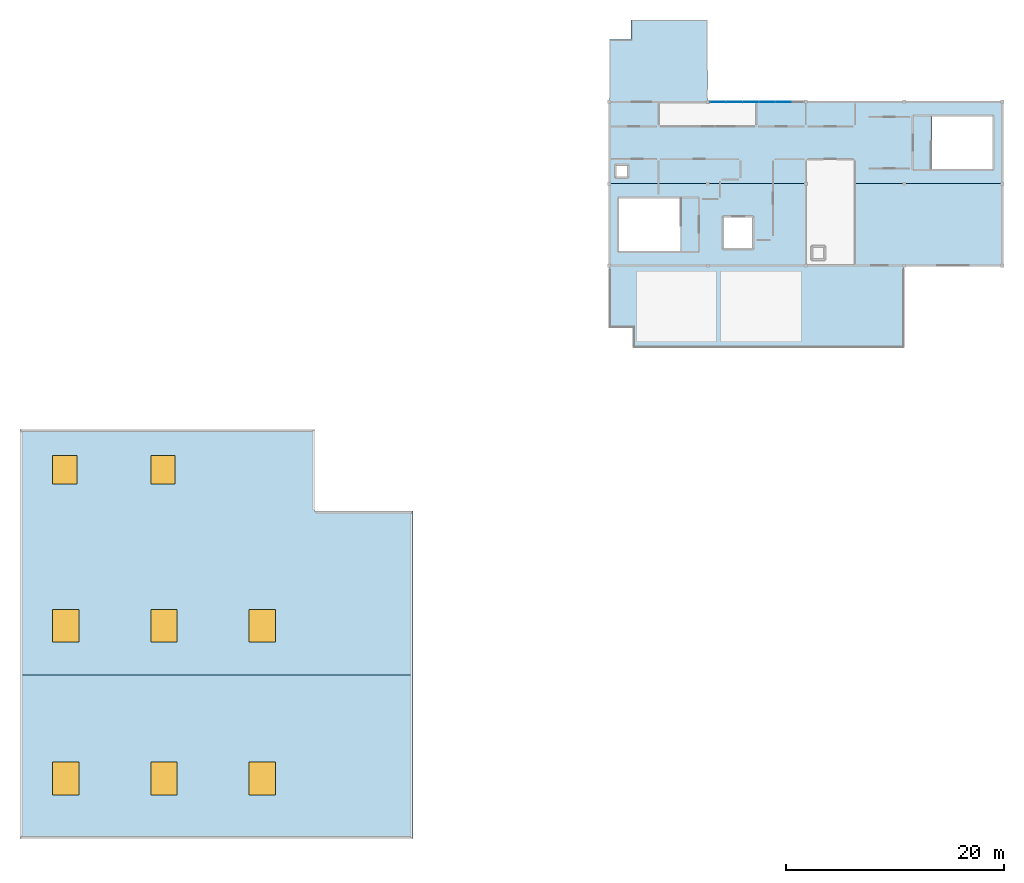
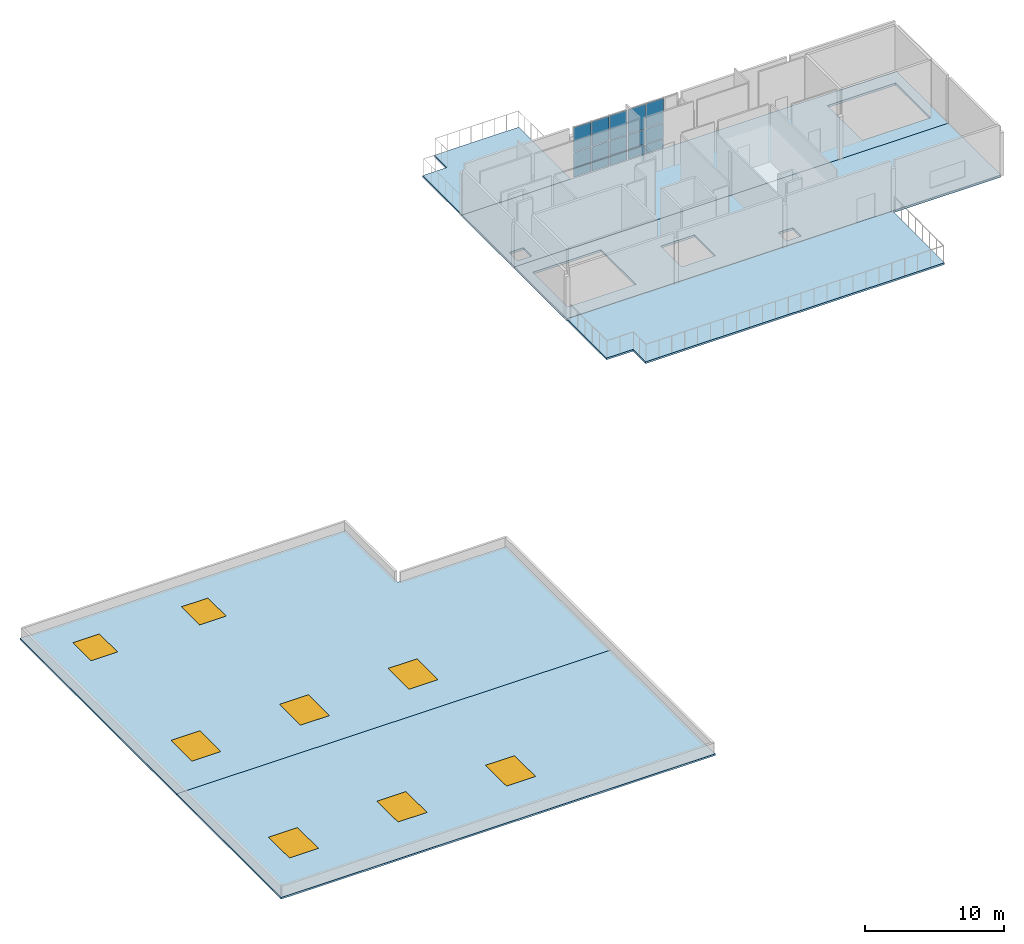
# One storey, part 3 of 8: 15 plates, 8 windows, 6 slabs, 8 openings, 1 element without a shape of its own.
"""IFC4 building model written with IfcOpenShell, lengths in metres."""

from ifc_helpers import new_model, si_unit, direction, frame, origin, origin_2d, place, context, subcontext, project, spatial, polyline, rectangle, outline, extrude, material, layer, layer_set, type_object, element, fill, aggregate, save


model = new_model("IFC4")

# Units and contexts
model_context = context("Model", 3, precision=1e-05, world=origin(), true_north=direction((0.0, 1.0)))
body_context = subcontext(model_context, "Body", "Model", "MODEL_VIEW")
ifc_project = project(units=[si_unit("LENGTHUNIT", "METRE"), si_unit("AREAUNIT", "SQUARE_METRE"), si_unit("VOLUMEUNIT", "CUBIC_METRE"), si_unit("PLANEANGLEUNIT", "RADIAN"), si_unit("MASSUNIT", "GRAM", prefix="KILO")], contexts=[model_context])

# Site, building, storey
site_placement = place(None, origin())
site = spatial("IfcSite", under=ifc_project, at=site_placement, CompositionType="ELEMENT")
building_placement = place(site_placement, origin())
building = spatial("IfcBuilding", under=site, at=building_placement, Name="Marnridge Secondary College", CompositionType="ELEMENT")
storey_placement = place(building_placement, frame((0.0, 0.0, 19.89990234375)))
storey = spatial("IfcBuildingStorey", under=building, at=storey_placement, Name="L05", CompositionType="ELEMENT", Elevation=19.89990234375)

# Curtain wall, plates
ifc_material_1 = material(Name="Thermally broken aluminium and low-E glazing", Category="aluminium")
ifc_layer_1 = layer(ifc_material_1, 0.159912109375)
ifc_layer_set_1 = layer_set([ifc_layer_1], Name="CW-MOD-1500")
curtain_wall_type = type_object("IfcCurtainWallType", Name="CW-MOD-1500", PredefinedType="NOTDEFINED", material=ifc_layer_set_1)
curtain_wall_placement = place(storey_placement, origin())
curtain_wall = element("IfcCurtainWall", 1, at=curtain_wall_placement, inside=storey, type_object=curtain_wall_type, Name="Unitised curtain wall CW-L05-152", PredefinedType="NOTDEFINED")
ifc_material_2 = material(Name="Double-glazed low-E argon unit", Category="glass")
ifc_layer_2 = layer(ifc_material_2, 0.028076171875)
ifc_layer_set_2 = layer_set([ifc_layer_2], Name="CWP-GLZ28")
plate_type = type_object("IfcPlateType", Name="CWP-GLZ28", PredefinedType="CURTAIN_PANEL", material=ifc_layer_set_2)
plate_1_placement = place(storey_placement, frame((63.94140625, 67.5, 0.06005859375), z_axis=(0.0, 0.0, 1.0), x_axis=(1.0, 0.0, 0.0)))
plate_1 = element("IfcPlate", 2, at=plate_1_placement, type_object=plate_type, Name="CW-L05-152 panel 1.1", PredefinedType="CURTAIN_PANEL", context=body_context, shape_type="SweptSolid", body=[
    extrude(rectangle(XDim=1.43994140625, YDim=0.028076171875, at=origin_2d()), origin(), (0.0, 0.0, 1.0), 0.81005859375),
])
plate_2_placement = place(storey_placement, frame((63.94140625, 67.5, 0.93017578125), z_axis=(0.0, 0.0, 1.0), x_axis=(1.0, 0.0, 0.0)))
plate_2 = element("IfcPlate", 3, at=plate_2_placement, type_object=plate_type, Name="CW-L05-152 panel 1.2", PredefinedType="CURTAIN_PANEL", context=body_context, shape_type="SweptSolid", body=[
    extrude(rectangle(XDim=1.43994140625, YDim=0.028076171875, at=origin_2d()), origin(), (0.0, 0.0, 1.0), 1.2900390625),
])
plate_3_placement = place(storey_placement, frame((63.94140625, 67.5, 2.2802734375), z_axis=(0.0, 0.0, 1.0), x_axis=(1.0, 0.0, 0.0)))
plate_3 = element("IfcPlate", 4, at=plate_3_placement, type_object=plate_type, Name="CW-L05-152 panel 1.3", PredefinedType="CURTAIN_PANEL", context=body_context, shape_type="SweptSolid", body=[
    extrude(rectangle(XDim=1.43994140625, YDim=0.028076171875, at=origin_2d()), origin(), (0.0, 0.0, 1.0), 2.140380859375),
])
plate_4_placement = place(storey_placement, frame((65.44140625, 67.5, 0.06005859375), z_axis=(0.0, 0.0, 1.0), x_axis=(1.0, 0.0, 0.0)))
plate_4 = element("IfcPlate", 5, at=plate_4_placement, type_object=plate_type, Name="CW-L05-152 panel 2.1", PredefinedType="CURTAIN_PANEL", context=body_context, shape_type="SweptSolid", body=[
    extrude(rectangle(XDim=1.43994140625, YDim=0.028076171875, at=origin_2d()), origin(), (0.0, 0.0, 1.0), 0.81005859375),
])
plate_5_placement = place(storey_placement, frame((65.44140625, 67.5, 0.93017578125), z_axis=(0.0, 0.0, 1.0), x_axis=(1.0, 0.0, 0.0)))
plate_5 = element("IfcPlate", 6, at=plate_5_placement, type_object=plate_type, Name="CW-L05-152 panel 2.2", PredefinedType="CURTAIN_PANEL", context=body_context, shape_type="SweptSolid", body=[
    extrude(rectangle(XDim=1.43994140625, YDim=0.028076171875, at=origin_2d()), origin(), (0.0, 0.0, 1.0), 1.2900390625),
])
plate_6_placement = place(storey_placement, frame((65.44140625, 67.5, 2.2802734375), z_axis=(0.0, 0.0, 1.0), x_axis=(1.0, 0.0, 0.0)))
plate_6 = element("IfcPlate", 7, at=plate_6_placement, type_object=plate_type, Name="CW-L05-152 panel 2.3", PredefinedType="CURTAIN_PANEL", context=body_context, shape_type="SweptSolid", body=[
    extrude(rectangle(XDim=1.43994140625, YDim=0.028076171875, at=origin_2d()), origin(), (0.0, 0.0, 1.0), 2.140380859375),
])
plate_7_placement = place(storey_placement, frame((66.94140625, 67.5, 0.06005859375), z_axis=(0.0, 0.0, 1.0), x_axis=(1.0, 0.0, 0.0)))
plate_7 = element("IfcPlate", 8, at=plate_7_placement, type_object=plate_type, Name="CW-L05-152 panel 3.1", PredefinedType="CURTAIN_PANEL", context=body_context, shape_type="SweptSolid", body=[
    extrude(rectangle(XDim=1.43994140625, YDim=0.028076171875, at=origin_2d()), origin(), (0.0, 0.0, 1.0), 0.81005859375),
])
plate_8_placement = place(storey_placement, frame((66.94140625, 67.5, 0.93017578125), z_axis=(0.0, 0.0, 1.0), x_axis=(1.0, 0.0, 0.0)))
plate_8 = element("IfcPlate", 9, at=plate_8_placement, type_object=plate_type, Name="CW-L05-152 panel 3.2", PredefinedType="CURTAIN_PANEL", context=body_context, shape_type="SweptSolid", body=[
    extrude(rectangle(XDim=1.43994140625, YDim=0.028076171875, at=origin_2d()), origin(), (0.0, 0.0, 1.0), 1.2900390625),
])
plate_9_placement = place(storey_placement, frame((66.94140625, 67.5, 2.2802734375), z_axis=(0.0, 0.0, 1.0), x_axis=(1.0, 0.0, 0.0)))
plate_9 = element("IfcPlate", 10, at=plate_9_placement, type_object=plate_type, Name="CW-L05-152 panel 3.3", PredefinedType="CURTAIN_PANEL", context=body_context, shape_type="SweptSolid", body=[
    extrude(rectangle(XDim=1.43994140625, YDim=0.028076171875, at=origin_2d()), origin(), (0.0, 0.0, 1.0), 2.140380859375),
])
plate_10_placement = place(storey_placement, frame((68.44140625, 67.5, 0.06005859375), z_axis=(0.0, 0.0, 1.0), x_axis=(1.0, 0.0, 0.0)))
plate_10 = element("IfcPlate", 11, at=plate_10_placement, type_object=plate_type, Name="CW-L05-152 panel 4.1", PredefinedType="CURTAIN_PANEL", context=body_context, shape_type="SweptSolid", body=[
    extrude(rectangle(XDim=1.43994140625, YDim=0.028076171875, at=origin_2d()), origin(), (0.0, 0.0, 1.0), 0.81005859375),
])
plate_11_placement = place(storey_placement, frame((68.44140625, 67.5, 0.93017578125), z_axis=(0.0, 0.0, 1.0), x_axis=(1.0, 0.0, 0.0)))
plate_11 = element("IfcPlate", 12, at=plate_11_placement, type_object=plate_type, Name="CW-L05-152 panel 4.2", PredefinedType="CURTAIN_PANEL", context=body_context, shape_type="SweptSolid", body=[
    extrude(rectangle(XDim=1.43994140625, YDim=0.028076171875, at=origin_2d()), origin(), (0.0, 0.0, 1.0), 1.2900390625),
])
plate_12_placement = place(storey_placement, frame((68.44140625, 67.5, 2.2802734375), z_axis=(0.0, 0.0, 1.0), x_axis=(1.0, 0.0, 0.0)))
plate_12 = element("IfcPlate", 13, at=plate_12_placement, type_object=plate_type, Name="CW-L05-152 panel 4.3", PredefinedType="CURTAIN_PANEL", context=body_context, shape_type="SweptSolid", body=[
    extrude(rectangle(XDim=1.43994140625, YDim=0.028076171875, at=origin_2d()), origin(), (0.0, 0.0, 1.0), 2.140380859375),
])
plate_13_placement = place(storey_placement, frame((69.94140625, 67.5, 0.06005859375), z_axis=(0.0, 0.0, 1.0), x_axis=(1.0, 0.0, 0.0)))
plate_13 = element("IfcPlate", 14, at=plate_13_placement, type_object=plate_type, Name="CW-L05-152 panel 5.1", PredefinedType="CURTAIN_PANEL", context=body_context, shape_type="SweptSolid", body=[
    extrude(rectangle(XDim=1.43994140625, YDim=0.028076171875, at=origin_2d()), origin(), (0.0, 0.0, 1.0), 0.81005859375),
])
plate_14_placement = place(storey_placement, frame((69.94140625, 67.5, 0.93017578125), z_axis=(0.0, 0.0, 1.0), x_axis=(1.0, 0.0, 0.0)))
plate_14 = element("IfcPlate", 15, at=plate_14_placement, type_object=plate_type, Name="CW-L05-152 panel 5.2", PredefinedType="CURTAIN_PANEL", context=body_context, shape_type="SweptSolid", body=[
    extrude(rectangle(XDim=1.43994140625, YDim=0.028076171875, at=origin_2d()), origin(), (0.0, 0.0, 1.0), 1.2900390625),
])
plate_15_placement = place(storey_placement, frame((69.94140625, 67.5, 2.2802734375), z_axis=(0.0, 0.0, 1.0), x_axis=(1.0, 0.0, 0.0)))
plate_15 = element("IfcPlate", 16, at=plate_15_placement, type_object=plate_type, Name="CW-L05-152 panel 5.3", PredefinedType="CURTAIN_PANEL", context=body_context, shape_type="SweptSolid", body=[
    extrude(rectangle(XDim=1.43994140625, YDim=0.028076171875, at=origin_2d()), origin(), (0.0, 0.0, 1.0), 2.140380859375),
])
aggregate(curtain_wall, [plate_1, plate_2, plate_3, plate_4, plate_5, plate_6, plate_7, plate_8, plate_9, plate_10, plate_11, plate_12, plate_13, plate_14, plate_15])

# Slabs
ifc_material_3 = material(Name="Cross-laminated timber CL5", Category="wood")
ifc_layer_3 = layer(ifc_material_3, 0.18994140625)
ifc_layer_set_3 = layer_set([ifc_layer_3], Name="SL-CLT-190")
slab_type_1 = type_object("IfcSlabType", Name="SL-CLT-190", PredefinedType="FLOOR", material=ifc_layer_set_3)
slab_1_placement = place(storey_placement, frame((0.0, 0.0, -0.18994140625)))
element("IfcSlab", 17, at=slab_1_placement, inside=storey, type_object=slab_type_1, Name="Floor slab SL-L05-052", PredefinedType="FLOOR", context=body_context, shape_type="SweptSolid", body=[
    extrude(outline(polyline([(54.0, 60.0), (90.0, 60.0), (90.0, 52.5), (54.0, 52.5), (54.0, 60.0)]), holes=[polyline([(54.800048828125, 53.75), (60.449951171875, 53.75), (60.449951171875, 58.75), (54.800048828125, 58.75), (54.800048828125, 53.75)]), polyline([(64.39990234375, 54.0), (67.199951171875, 54.0), (67.199951171875, 57.0), (64.39990234375, 57.0), (64.39990234375, 54.0)]), polyline([(72.550048828125, 53.050048828125), (73.75, 53.050048828125), (73.75, 54.25), (72.550048828125, 54.25), (72.550048828125, 53.050048828125)])]), origin(), (0.0, 0.0, 1.0), 0.18994140625),
])
slab_2_placement = place(storey_placement, frame((0.0, 0.0, -0.18994140625)))
element("IfcSlab", 18, at=slab_2_placement, inside=storey, type_object=slab_type_1, Name="Floor slab SL-L05-053", PredefinedType="FLOOR", context=body_context, shape_type="SweptSolid", body=[
    extrude(outline(polyline([(54.0, 67.5), (90.0, 67.5), (90.0, 60.0), (54.0, 60.0), (54.0, 67.5)]), holes=[polyline([(83.550048828125, 61.25), (89.199951171875, 61.25), (89.199951171875, 66.25), (83.550048828125, 66.25), (83.550048828125, 61.25)]), polyline([(54.550048828125, 60.550048828125), (55.75, 60.550048828125), (55.75, 61.75), (54.550048828125, 61.75), (54.550048828125, 60.550048828125)])]), origin(), (0.0, 0.0, 1.0), 0.18994140625),
])
ifc_material_4 = material(Name="Cross-laminated timber CL5", Category="wood")
ifc_layer_4 = layer(ifc_material_4, 0.159912109375)
ifc_layer_set_4 = layer_set([ifc_layer_4], Name="SL-DECK-160")
slab_type_2 = type_object("IfcSlabType", Name="SL-DECK-160", PredefinedType="ROOF", material=ifc_layer_set_4)
slab_3_placement = place(storey_placement, frame((0.0, 0.0, -0.159912109375)))
element("IfcSlab", 19, at=slab_3_placement, inside=storey, type_object=slab_type_2, Name="External deck slab SL-L05-063", PredefinedType="ROOF", context=body_context, shape_type="SweptSolid", body=[
    extrude(outline(polyline([(54.0, 46.800048828125), (56.199951171875, 46.800048828125), (56.199951171875, 45.0), (81.0, 45.0), (81.0, 52.5), (54.0, 52.5), (54.0, 46.800048828125)])), origin(), (0.0, 0.0, 1.0), 0.159912109375),
])
slab_4_placement = place(storey_placement, frame((0.0, 0.0, -0.159912109375)))
element("IfcSlab", 20, at=slab_4_placement, inside=storey, type_object=slab_type_2, Name="External deck slab SL-L05-064", PredefinedType="ROOF", context=body_context, shape_type="SweptSolid", body=[
    extrude(outline(polyline([(54.0, 67.5), (63.0, 67.5), (63.0, 75.0), (56.0, 75.0), (56.0, 73.199951171875), (54.0, 73.199951171875), (54.0, 67.5)])), origin(), (0.0, 0.0, 1.0), 0.159912109375),
])

# Slab, openings, windows
ifc_material_5 = material(Name="Cross-laminated timber CL5", Category="wood")
ifc_layer_5 = layer(ifc_material_5, 0.14990234375)
ifc_layer_set_5 = layer_set([ifc_layer_5], Name="SL-ROOF-150")
slab_type_3 = type_object("IfcSlabType", Name="SL-ROOF-150", PredefinedType="ROOF", material=ifc_layer_set_5)
slab_5_placement = place(storey_placement, frame((0.0, 0.0, -0.14990234375)))
slab_5 = element("IfcSlab", 21, at=slab_5_placement, inside=storey, type_object=slab_type_3, Name="Roof slab SR-L05-070", PredefinedType="ROOF", context=body_context, shape_type="SweptSolid", body=[
    extrude(outline(polyline([(0.0, 0.0), (36.0, 0.0), (36.0, 15.0), (0.0, 15.0), (0.0, 0.0)]), holes=[polyline([(3.0, 4.0), (5.39990234375, 4.0), (5.39990234375, 7.0), (3.0, 7.0), (3.0, 4.0)]), polyline([(12.0, 4.0), (14.39990234375, 4.0), (14.39990234375, 7.0), (12.0, 7.0), (12.0, 4.0)]), polyline([(21.0, 4.0), (23.39990234375, 4.0), (23.39990234375, 7.0), (21.0, 7.0), (21.0, 4.0)])]), origin(), (0.0, 0.0, 1.0), 0.14990234375),
])
opening_1_placement = place(slab_5_placement, frame((4.199951171875, 5.5, 0.0)))
opening_1 = element("IfcOpeningElement", 22, at=opening_1_placement, cuts=slab_5, Name="Opening SK-018", PredefinedType="OPENING", context=body_context, shape_type="SweptSolid", body=[
    extrude(rectangle(XDim=2.39990234375, YDim=3.0, at=origin_2d()), frame((0.0, 0.0, -0.010009765625)), (0.0, 0.0, 1.0), 0.169921875),
])
opening_2_placement = place(slab_5_placement, frame((13.199951171875, 5.5, 0.0)))
opening_2 = element("IfcOpeningElement", 23, at=opening_2_placement, cuts=slab_5, Name="Opening SK-019", PredefinedType="OPENING", context=body_context, shape_type="SweptSolid", body=[
    extrude(rectangle(XDim=2.39990234375, YDim=3.0, at=origin_2d()), frame((0.0, 0.0, -0.010009765625)), (0.0, 0.0, 1.0), 0.169921875),
])
opening_3_placement = place(slab_5_placement, frame((22.199951171875, 5.5, 0.0)))
opening_3 = element("IfcOpeningElement", 24, at=opening_3_placement, cuts=slab_5, Name="Opening SK-020", PredefinedType="OPENING", context=body_context, shape_type="SweptSolid", body=[
    extrude(rectangle(XDim=2.39990234375, YDim=3.0, at=origin_2d()), frame((0.0, 0.0, -0.010009765625)), (0.0, 0.0, 1.0), 0.169921875),
])
ifc_material_6 = material(Name="Thermally broken insulated roof skylight", Category="glass")
window_type_1 = type_object("IfcWindowType", Name="SK-ROOF-2430", PartitioningType="DOUBLE_PANEL_VERTICAL", PredefinedType="SKYLIGHT", material=ifc_material_6)
window_1_placement = place(opening_1_placement, origin())
window_1 = element("IfcWindow", 25, at=window_1_placement, inside=storey, type_object=window_type_1, Name="Roof skylight SK-018", OverallHeight=3.0, OverallWidth=2.39990234375, PartitioningType="SINGLE_PANEL", PredefinedType="SKYLIGHT", context=body_context, shape_type="SweptSolid", body=[
    extrude(rectangle(XDim=2.39990234375, YDim=3.0, at=origin_2d()), origin(), (0.0, 0.0, 1.0), 0.14990234375),
])
fill(opening_1, window_1)
window_2_placement = place(opening_2_placement, origin())
window_2 = element("IfcWindow", 26, at=window_2_placement, inside=storey, type_object=window_type_1, Name="Roof skylight SK-019", OverallHeight=3.0, OverallWidth=2.39990234375, PartitioningType="SINGLE_PANEL", PredefinedType="SKYLIGHT", context=body_context, shape_type="SweptSolid", body=[
    extrude(rectangle(XDim=2.39990234375, YDim=3.0, at=origin_2d()), origin(), (0.0, 0.0, 1.0), 0.14990234375),
])
fill(opening_2, window_2)
window_3_placement = place(opening_3_placement, origin())
window_3 = element("IfcWindow", 27, at=window_3_placement, inside=storey, type_object=window_type_1, Name="Roof skylight SK-020", OverallHeight=3.0, OverallWidth=2.39990234375, PartitioningType="SINGLE_PANEL", PredefinedType="SKYLIGHT", context=body_context, shape_type="SweptSolid", body=[
    extrude(rectangle(XDim=2.39990234375, YDim=3.0, at=origin_2d()), origin(), (0.0, 0.0, 1.0), 0.14990234375),
])
fill(opening_3, window_3)

slab_6_placement = place(storey_placement, frame((0.0, 0.0, -0.14990234375)))
slab_6 = element("IfcSlab", 28, at=slab_6_placement, inside=storey, type_object=slab_type_3, Name="Roof slab SR-L05-071", PredefinedType="ROOF", context=body_context, shape_type="SweptSolid", body=[
    extrude(outline(polyline([(0.0, 15.0), (36.0, 15.0), (36.0, 30.0), (27.0, 30.0), (27.0, 37.5), (0.0, 37.5), (0.0, 15.0)]), holes=[polyline([(3.0, 18.0), (5.39990234375, 18.0), (5.39990234375, 21.0), (3.0, 21.0), (3.0, 18.0)]), polyline([(12.0, 18.0), (14.39990234375, 18.0), (14.39990234375, 21.0), (12.0, 21.0), (12.0, 18.0)]), polyline([(21.0, 18.0), (23.39990234375, 18.0), (23.39990234375, 21.0), (21.0, 21.0), (21.0, 18.0)]), polyline([(3.0, 32.5), (5.199951171875, 32.5), (5.199951171875, 35.10009765625), (3.0, 35.10009765625), (3.0, 32.5)]), polyline([(12.0, 32.5), (14.199951171875, 32.5), (14.199951171875, 35.10009765625), (12.0, 35.10009765625), (12.0, 32.5)])]), origin(), (0.0, 0.0, 1.0), 0.14990234375),
])
opening_4_placement = place(slab_6_placement, frame((4.199951171875, 19.5, 0.0)))
opening_4 = element("IfcOpeningElement", 29, at=opening_4_placement, cuts=slab_6, Name="Opening SK-021", PredefinedType="OPENING", context=body_context, shape_type="SweptSolid", body=[
    extrude(rectangle(XDim=2.39990234375, YDim=3.0, at=origin_2d()), frame((0.0, 0.0, -0.010009765625)), (0.0, 0.0, 1.0), 0.169921875),
])
opening_5_placement = place(slab_6_placement, frame((13.199951171875, 19.5, 0.0)))
opening_5 = element("IfcOpeningElement", 30, at=opening_5_placement, cuts=slab_6, Name="Opening SK-022", PredefinedType="OPENING", context=body_context, shape_type="SweptSolid", body=[
    extrude(rectangle(XDim=2.39990234375, YDim=3.0, at=origin_2d()), frame((0.0, 0.0, -0.010009765625)), (0.0, 0.0, 1.0), 0.169921875),
])
opening_6_placement = place(slab_6_placement, frame((22.199951171875, 19.5, 0.0)))
opening_6 = element("IfcOpeningElement", 31, at=opening_6_placement, cuts=slab_6, Name="Opening SK-023", PredefinedType="OPENING", context=body_context, shape_type="SweptSolid", body=[
    extrude(rectangle(XDim=2.39990234375, YDim=3.0, at=origin_2d()), frame((0.0, 0.0, -0.010009765625)), (0.0, 0.0, 1.0), 0.169921875),
])
opening_7_placement = place(slab_6_placement, frame((4.10009765625, 33.800048828125, 0.0)))
opening_7 = element("IfcOpeningElement", 32, at=opening_7_placement, cuts=slab_6, Name="Opening SK-024", PredefinedType="OPENING", context=body_context, shape_type="SweptSolid", body=[
    extrude(rectangle(XDim=2.199951171875, YDim=2.60009765625, at=origin_2d()), frame((0.0, 0.0, -0.010009765625)), (0.0, 0.0, 1.0), 0.169921875),
])
opening_8_placement = place(slab_6_placement, frame((13.10009765625, 33.800048828125, 0.0)))
opening_8 = element("IfcOpeningElement", 33, at=opening_8_placement, cuts=slab_6, Name="Opening SK-025", PredefinedType="OPENING", context=body_context, shape_type="SweptSolid", body=[
    extrude(rectangle(XDim=2.199951171875, YDim=2.60009765625, at=origin_2d()), frame((0.0, 0.0, -0.010009765625)), (0.0, 0.0, 1.0), 0.169921875),
])
ifc_material_7 = material(Name="Insulated aluminium roof access hatch", Category="aluminium")
window_type_2 = type_object("IfcWindowType", Name="SK-HATCH-2226", PartitioningType="SINGLE_PANEL", PredefinedType="SKYLIGHT", material=ifc_material_7)
window_4_placement = place(opening_7_placement, origin())
window_4 = element("IfcWindow", 34, at=window_4_placement, inside=storey, type_object=window_type_2, Name="Roof skylight SK-024", OverallHeight=2.60009765625, OverallWidth=2.199951171875, PartitioningType="SINGLE_PANEL", PredefinedType="SKYLIGHT", context=body_context, shape_type="SweptSolid", body=[
    extrude(rectangle(XDim=2.199951171875, YDim=2.60009765625, at=origin_2d()), origin(), (0.0, 0.0, 1.0), 0.14990234375),
])
fill(opening_7, window_4)
window_5_placement = place(opening_8_placement, origin())
window_5 = element("IfcWindow", 35, at=window_5_placement, inside=storey, type_object=window_type_2, Name="Roof skylight SK-025", OverallHeight=2.60009765625, OverallWidth=2.199951171875, PartitioningType="SINGLE_PANEL", PredefinedType="SKYLIGHT", context=body_context, shape_type="SweptSolid", body=[
    extrude(rectangle(XDim=2.199951171875, YDim=2.60009765625, at=origin_2d()), origin(), (0.0, 0.0, 1.0), 0.14990234375),
])
fill(opening_8, window_5)
window_6_placement = place(opening_4_placement, origin())
window_6 = element("IfcWindow", 36, at=window_6_placement, inside=storey, type_object=window_type_1, Name="Roof skylight SK-021", OverallHeight=3.0, OverallWidth=2.39990234375, PartitioningType="SINGLE_PANEL", PredefinedType="SKYLIGHT", context=body_context, shape_type="SweptSolid", body=[
    extrude(rectangle(XDim=2.39990234375, YDim=3.0, at=origin_2d()), origin(), (0.0, 0.0, 1.0), 0.14990234375),
])
fill(opening_4, window_6)
window_7_placement = place(opening_5_placement, origin())
window_7 = element("IfcWindow", 37, at=window_7_placement, inside=storey, type_object=window_type_1, Name="Roof skylight SK-022", OverallHeight=3.0, OverallWidth=2.39990234375, PartitioningType="SINGLE_PANEL", PredefinedType="SKYLIGHT", context=body_context, shape_type="SweptSolid", body=[
    extrude(rectangle(XDim=2.39990234375, YDim=3.0, at=origin_2d()), origin(), (0.0, 0.0, 1.0), 0.14990234375),
])
fill(opening_5, window_7)
window_8_placement = place(opening_6_placement, origin())
window_8 = element("IfcWindow", 38, at=window_8_placement, inside=storey, type_object=window_type_1, Name="Roof skylight SK-023", OverallHeight=3.0, OverallWidth=2.39990234375, PartitioningType="SINGLE_PANEL", PredefinedType="SKYLIGHT", context=body_context, shape_type="SweptSolid", body=[
    extrude(rectangle(XDim=2.39990234375, YDim=3.0, at=origin_2d()), origin(), (0.0, 0.0, 1.0), 0.14990234375),
])
fill(opening_6, window_8)

save(model, "model.ifc")
